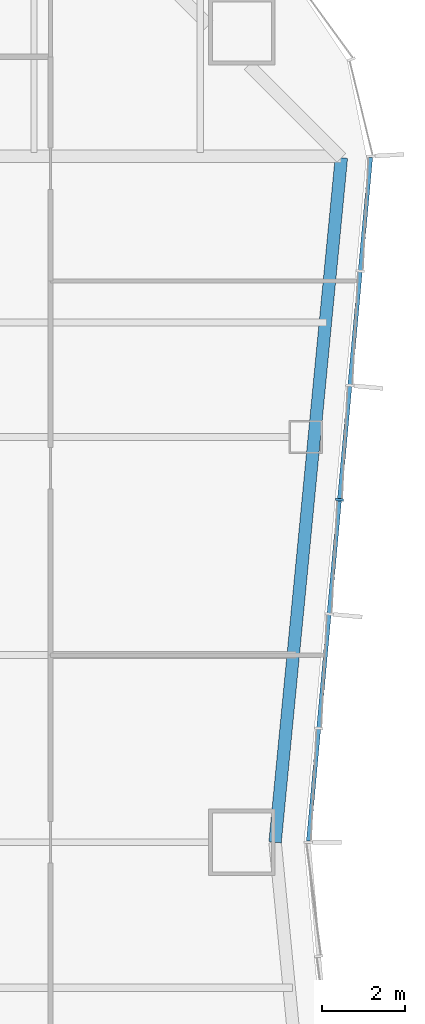
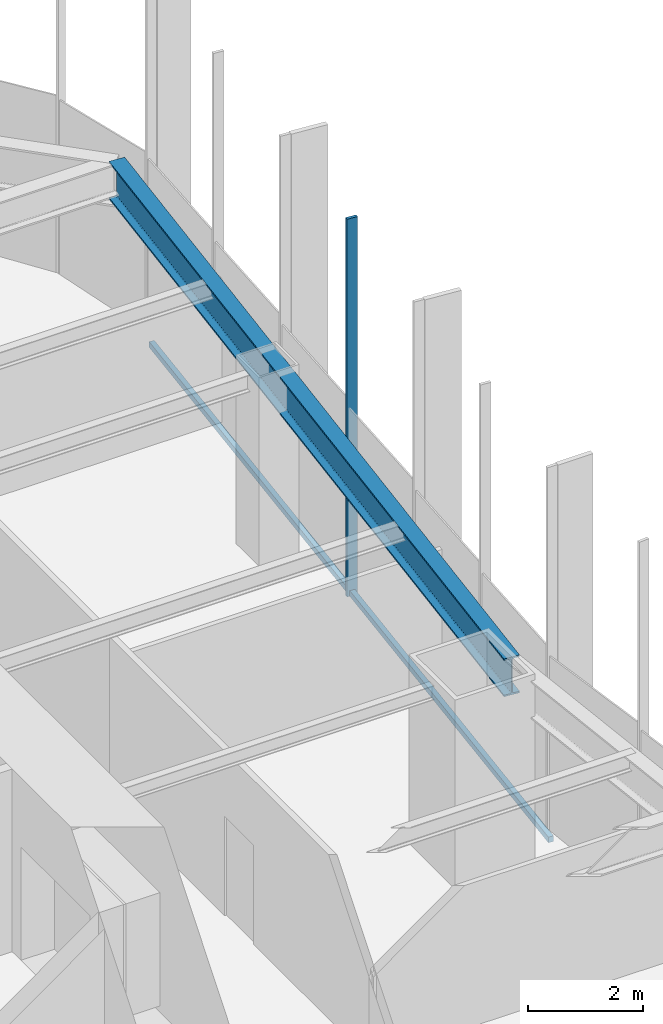
# One storey, part 5 of 13: 2 members, 1 beam, 1 element without a shape of its own.
"""IFC4 building model written with IfcOpenShell, lengths in metres."""

from ifc_helpers import new_model, si_unit, direction, frame, origin, origin_2d, place, context, subcontext, project, spatial, rectangle, i_section, extrude, material, material_profile, profile_set, type_object, element, aggregate, save


model = new_model("IFC4")

# Units and contexts
model_context = context("Model", 3, precision=1e-05, world=origin(), true_north=direction((0.0, 1.0)))
body_context = subcontext(model_context, "Body", "Model", "MODEL_VIEW")
ifc_project = project(units=[si_unit("LENGTHUNIT", "METRE"), si_unit("AREAUNIT", "SQUARE_METRE"), si_unit("VOLUMEUNIT", "CUBIC_METRE"), si_unit("PLANEANGLEUNIT", "RADIAN"), si_unit("MASSUNIT", "GRAM", prefix="KILO")], contexts=[model_context])

# Site, building, storey
site_placement = place(None, origin())
site = spatial("IfcSite", under=ifc_project, at=site_placement, CompositionType="ELEMENT")
building_placement = place(site_placement, origin())
building = spatial("IfcBuilding", under=site, at=building_placement, Name="Verdant Reach Tower", CompositionType="ELEMENT")
storey_placement = place(building_placement, frame((0.0, 0.0, 50.0)))
storey = spatial("IfcBuildingStorey", under=building, at=storey_placement, Name="L11", CompositionType="ELEMENT", Elevation=50.0)

# Curtain wall, members
ifc_material_1 = material(Name="Anodised aluminium", Category="aluminium")
curtain_wall_type = type_object("IfcCurtainWallType", Name="EN-CW SYSTEM Z0", PredefinedType="NOTDEFINED", material=ifc_material_1)
curtain_wall_placement = place(storey_placement, origin())
curtain_wall = element("IfcCurtainWall", 1, at=curtain_wall_placement, inside=storey, type_object=curtain_wall_type, Name="Curtain wall east, L11", PredefinedType="NOTDEFINED")
ifc_material_profile_1 = material_profile(ifc_material_1, rectangle(XDim=0.199951171875, YDim=0.06005859375, at=origin_2d()), Name="Mullion 60x200")
ifc_profile_set_1 = profile_set([ifc_material_profile_1], Name="Anodised aluminium")
member_type_1 = type_object("IfcMemberType", Name="EN-MULLION Z0", PredefinedType="MULLION", material=ifc_profile_set_1)
member_1_placement = place(storey_placement, frame((23.349609375, 30.740966796875, -0.35009765625), z_axis=(0.0, 0.0, 1.0), x_axis=(0.995893206467, -0.090535746047, 0.0)))
member_1 = element("IfcMember", 2, at=member_1_placement, type_object=member_type_1, Name="Mullion east face part 2 4, L11", PredefinedType="MULLION", context=body_context, shape_type="SweptSolid", body=[
    extrude(rectangle(XDim=0.199951171875, YDim=0.06005859375, at=origin_2d()), origin(), (0.0, 0.0, 1.0), 8.0),
])
ifc_material_profile_2 = material_profile(ifc_material_1, rectangle(XDim=0.10009765625, YDim=0.1201171875, at=origin_2d()), Name="Transom 120x100")
ifc_profile_set_2 = profile_set([ifc_material_profile_2], Name="Anodised aluminium")
member_type_2 = type_object("IfcMemberType", Name="EN-TRANSOM Z0", PredefinedType="USERDEFINED", material=ifc_profile_set_2)
member_2_placement = place(storey_placement, frame((22.602783203125, 22.52978515625, -0.2900390625), z_axis=(0.090495755184, 0.995896841191, 0.0), x_axis=(-0.995896841191, 0.090495755184, 0.0)))
member_2 = element("IfcMember", 3, at=member_2_placement, type_object=member_type_2, Name="Transom east face part 2 1.1, L11", ObjectType="TRANSOM", PredefinedType="USERDEFINED", context=body_context, shape_type="SweptSolid", body=[
    extrude(rectangle(XDim=0.10009765625, YDim=0.1201171875, at=origin_2d()), origin(), (0.0, 0.0, 1.0), 16.513427734375),
])
aggregate(curtain_wall, [member_1, member_2])

# Beam
ifc_material_2 = material(Name="Steel S355", Category="steel")
ifc_material_profile_3 = material_profile(ifc_material_2, i_section(OverallWidth=0.300048828125, OverallDepth=0.800048828125, WebThickness=0.017578125, FlangeThickness=0.032958984375, FilletRadius=0.030029296875, at=origin_2d()), Name="HEB 800")
ifc_profile_set_3 = profile_set([ifc_material_profile_3], Name="Steel S355")
beam_type = type_object("IfcBeamType", Name="ST-SPANDREL-HEB800", PredefinedType="SPANDREL", material=ifc_profile_set_3)
beam_placement = place(storey_placement, frame((23.39453125, 38.968017578125, 3.469970703125), z_axis=(-0.096372296695, -0.995345357366, 0.0), x_axis=(0.995345357366, -0.096372296695, 0.0)))
element("IfcBeam", 4, at=beam_placement, inside=storey, type_object=beam_type, Name="Edge beam, L11", PredefinedType="SPANDREL", context=body_context, shape_type="SweptSolid", body=[
    extrude(i_section(OverallWidth=0.300048828125, OverallDepth=0.800048828125, WebThickness=0.017578125, FlangeThickness=0.032958984375, FilletRadius=0.030029296875, at=origin_2d()), origin(), (0.0, 0.0, 1.0), 16.544921875),
])

save(model, "model.ifc")
